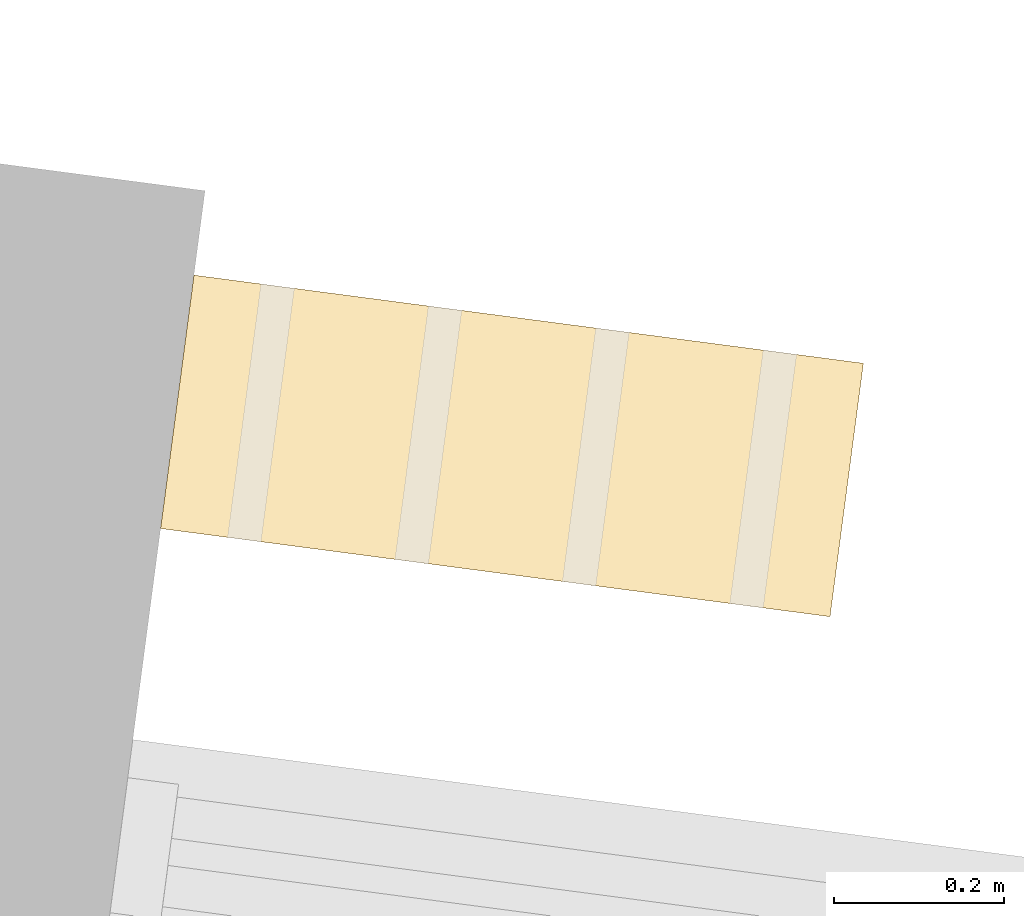
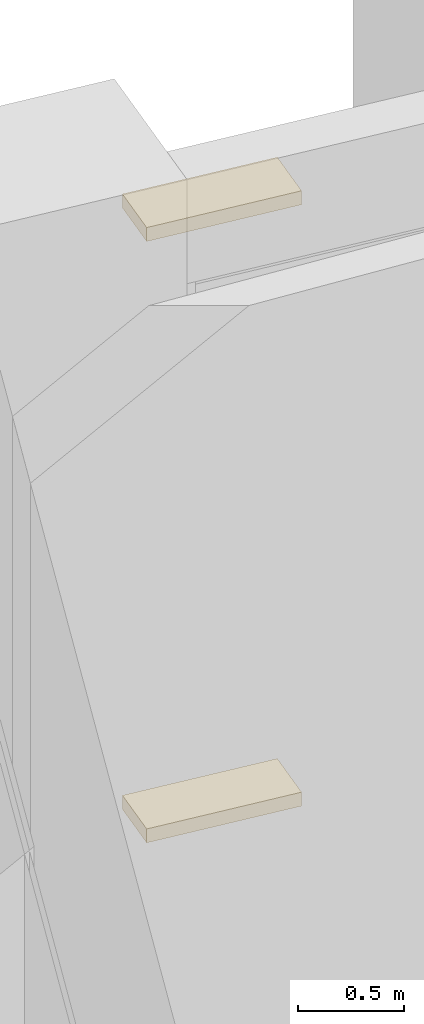
# One storey, part 66 of 66: 2 coverings.
"""IFC4 building model written with IfcOpenShell, lengths in metres."""

from ifc_helpers import new_model, si_unit, direction, frame, origin, origin_2d, place, context, subcontext, project, spatial, rectangle, extrude, material, type_object, element, save


model = new_model("IFC4")

# Units and contexts
model_context = context("Model", 3, precision=1e-05, world=origin(), true_north=direction((0.0, 1.0)))
body_context = subcontext(model_context, "Body", "Model", "MODEL_VIEW")
ifc_project = project(units=[si_unit("LENGTHUNIT", "METRE"), si_unit("AREAUNIT", "SQUARE_METRE"), si_unit("VOLUMEUNIT", "CUBIC_METRE"), si_unit("PLANEANGLEUNIT", "RADIAN"), si_unit("MASSUNIT", "GRAM", prefix="KILO")], contexts=[model_context])

# Site, building, storey
site_placement = place(None, origin())
site = spatial("IfcSite", under=ifc_project, at=site_placement, CompositionType="ELEMENT")
building_placement = place(site_placement, origin())
building = spatial("IfcBuilding", under=site, at=building_placement, Name="Volute Hill Aquarium", CompositionType="ELEMENT")
storey_placement = place(building_placement, frame((0.0, 0.0, 4.60009765625)))
storey = spatial("IfcBuildingStorey", under=building, at=storey_placement, Name="L02", CompositionType="ELEMENT", Elevation=4.60009765625)

# Coverings
ifc_material = material(Name="Aluminium", Category="aluminium")
covering_type = type_object("IfcCoveringType", Name="Plant louvre slat rail 300x80", PredefinedType="CLADDING", material=ifc_material)
for number, where, z_axis, x_axis, name in (
    (1, (5.939453125, 47.384765625, 0.449951171875), (0.0, 0.0, 1.0), (-0.991442570657, 0.130543590761, 0.0), "Plant louvre slat rail S5 L02 10.1"),
    (2, (5.939453125, 47.384765625, 3.919921875), (0.0, 0.0, 1.0), (-0.991442570657, 0.130543590761, 0.0), "Plant louvre slat rail S5 L02 10.2"),
):
    element("IfcCovering", number, at=place(storey_placement, frame(where, z_axis=z_axis, x_axis=x_axis)), inside=storey, type_object=covering_type, Name=name, PredefinedType="CLADDING", context=body_context, shape_type="SweptSolid", body=[
        extrude(rectangle(XDim=0.792724609375, YDim=0.300048828125, at=origin_2d()), origin(), (0.0, 0.0, 1.0), 0.080078125),
    ])

save(model, "model.ifc")
